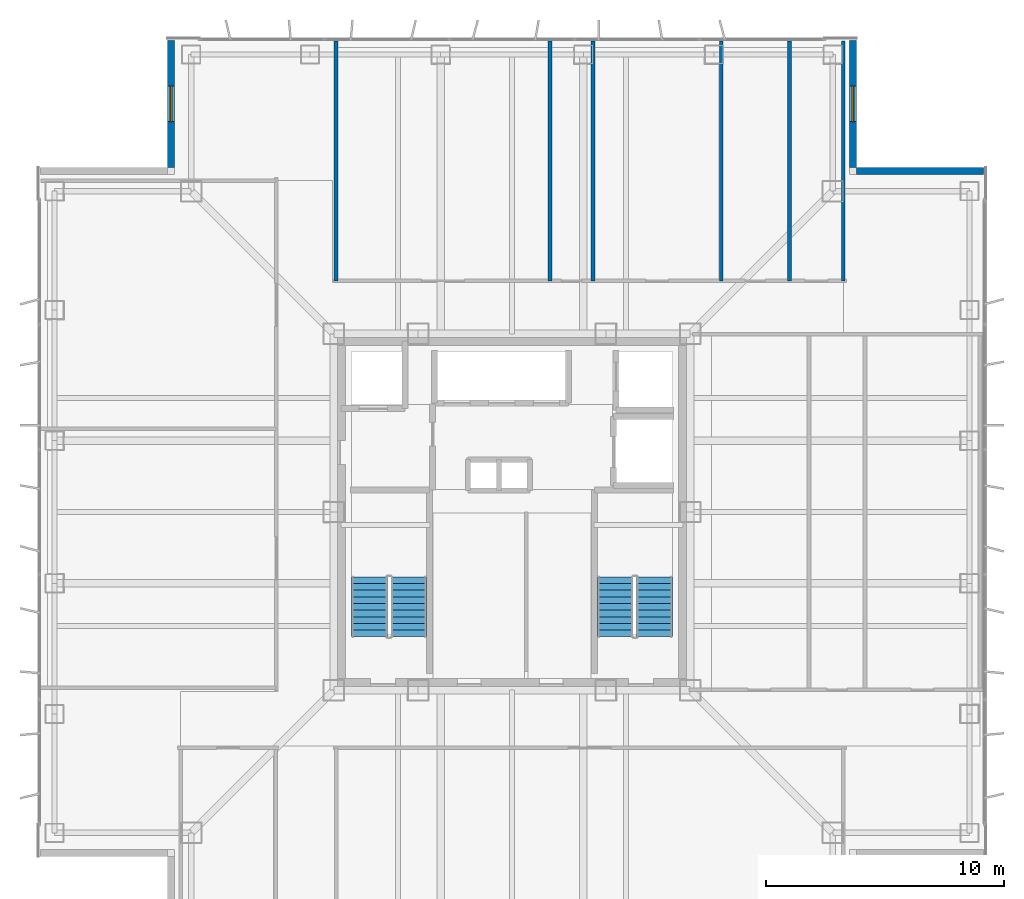
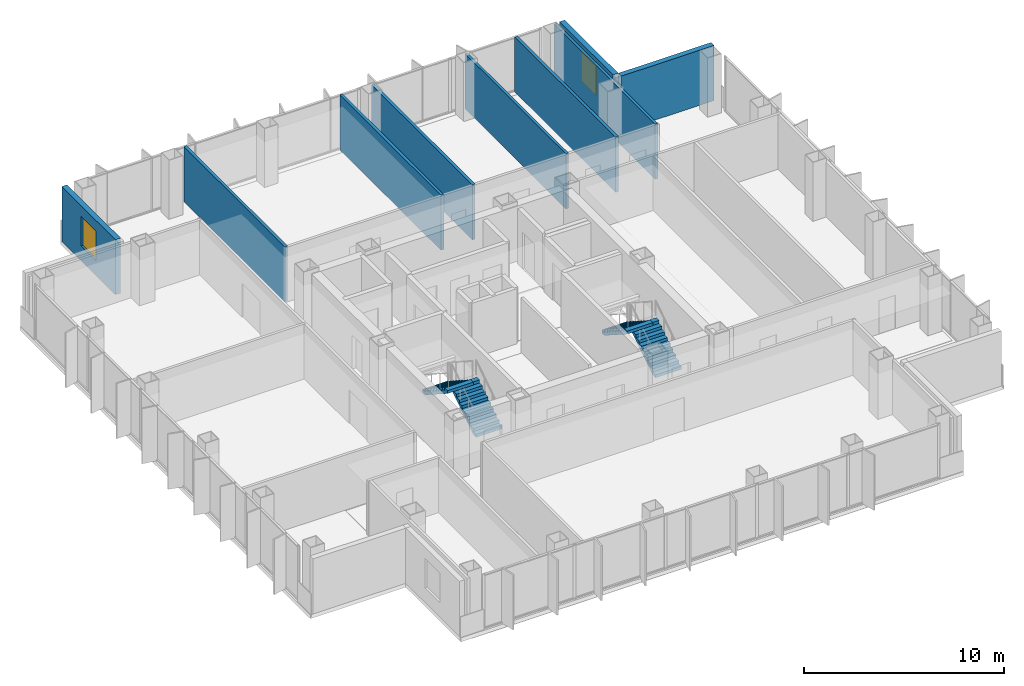
# One storey, part 11 of 17: 9 walls, 4 stair flights, 2 windows, 2 openings, 2 elements without a shape of their own.
"""IFC4 building model written with IfcOpenShell, lengths in metres."""

from ifc_helpers import new_model, si_unit, direction, frame, frame_2d, origin, place, context, subcontext, project, spatial, polyline, rectangle, outline, extrude, material, layer, layer_set, type_object, element, fill, aggregate, save


model = new_model("IFC4")

# Units and contexts
model_context = context("Model", 3, precision=1e-05, world=origin(), true_north=direction((0.0, 1.0)))
body_context = subcontext(model_context, "Body", "Model", "MODEL_VIEW")
ifc_project = project(units=[si_unit("LENGTHUNIT", "METRE"), si_unit("AREAUNIT", "SQUARE_METRE"), si_unit("VOLUMEUNIT", "CUBIC_METRE"), si_unit("PLANEANGLEUNIT", "RADIAN"), si_unit("MASSUNIT", "GRAM", prefix="KILO")], contexts=[model_context])

# Site, building, storey
site_placement = place(None, origin())
site = spatial("IfcSite", under=ifc_project, at=site_placement, CompositionType="ELEMENT")
building_placement = place(site_placement, origin())
building = spatial("IfcBuilding", under=site, at=building_placement, Name="Trevonay Congress Spire", CompositionType="ELEMENT")
storey_placement = place(building_placement, frame((0.0, 0.0, 184.199951171875)))
storey = spatial("IfcBuildingStorey", under=building, at=storey_placement, Name="L47", CompositionType="ELEMENT", Elevation=184.199951171875)

# Wall, opening, window
ifc_material_1 = material(Name="Precast concrete C40/50", Category="concrete")
ifc_layer_1 = layer(ifc_material_1, 0.300048828125, Name="Precast concrete C40/50")
ifc_layer_set_1 = layer_set([ifc_layer_1], Name="Precast concrete C40/50")
wall_type_1 = type_object("IfcWallType", Name="WAL-EXT-PRECAST-300", PredefinedType="SOLIDWALL", material=ifc_layer_set_1)
wall_1_placement = place(storey_placement, frame((14.35009765625, 19.85009765625, 0.0), z_axis=(0.0, 0.0, 1.0), x_axis=(0.0, -1.0, 0.0)))
wall_1 = element("IfcWall", 1, at=wall_1_placement, inside=storey, type_object=wall_type_1, Name="L47 NE re-entrant notch exterior wall 1", PredefinedType="SOLIDWALL", context=body_context, shape_type="SweptSolid", body=[
    extrude(rectangle(XDim=5.35009765625, YDim=0.300048828125, at=frame_2d((2.675048828125, 0.0))), origin(), (0.0, 0.0, 1.0), 3.360107421875),
])
opening_1_placement = place(wall_1_placement, frame((1.925048828125, 0.0, 0.89990234375)))
opening_1 = element("IfcOpeningElement", 2, at=opening_1_placement, cuts=wall_1, Name="Opening WN03", PredefinedType="OPENING", context=body_context, shape_type="SweptSolid", body=[
    extrude(rectangle(XDim=1.5, YDim=1.800048828125, at=frame_2d((0.75, 0.89990234375))), frame((0.0, 0.16015625, 0.0), z_axis=(0.0, -1.0, 0.0), x_axis=(1.0, 0.0, 0.0)), (0.0, 0.0, 1.0), 0.320068359375),
])
ifc_material_2 = material(Name="Insulated Low-E Vision Glass IGU", Category="glass")
window_type = type_object("IfcWindowType", Name="WIN-NOTCH-150X180", PartitioningType="SINGLE_PANEL", PredefinedType="WINDOW", material=ifc_material_2)
window_1_placement = place(opening_1_placement, origin())
window_1 = element("IfcWindow", 3, at=window_1_placement, inside=storey, type_object=window_type, Name="L47 NE corner notch window", OverallHeight=1.800048828125, OverallWidth=1.5, PartitioningType="SINGLE_PANEL", PredefinedType="WINDOW", context=body_context, shape_type="SweptSolid", body=[
    extrude(rectangle(XDim=1.5, YDim=1.800048828125, at=frame_2d((0.75, 0.89990234375))), frame((0.0, 0.030029296875, 0.0), z_axis=(0.0, -1.0, 0.0), x_axis=(1.0, 0.0, 0.0)), (0.0, 0.0, 1.0), 0.06005859375),
])
fill(opening_1, window_1)

# Wall
wall_2_placement = place(storey_placement, frame((19.85009765625, 14.35009765625, 0.0), z_axis=(0.0, 0.0, 1.0), x_axis=(-1.0, 0.0, 0.0)))
element("IfcWall", 4, at=wall_2_placement, inside=storey, type_object=wall_type_1, Name="L47 NE re-entrant notch exterior wall 2", PredefinedType="SOLIDWALL", context=body_context, shape_type="SweptSolid", body=[
    extrude(rectangle(XDim=5.35009765625, YDim=0.300048828125, at=frame_2d((2.675048828125, 0.0))), origin(), (0.0, 0.0, 1.0), 3.360107421875),
])

# Wall, opening, window
wall_3_placement = place(storey_placement, frame((-14.35009765625, 19.85009765625, 0.0), z_axis=(0.0, 0.0, 1.0), x_axis=(0.0, -1.0, 0.0)))
wall_3 = element("IfcWall", 5, at=wall_3_placement, inside=storey, type_object=wall_type_1, Name="L47 NW re-entrant notch exterior wall 1", PredefinedType="SOLIDWALL", context=body_context, shape_type="SweptSolid", body=[
    extrude(rectangle(XDim=5.35009765625, YDim=0.300048828125, at=frame_2d((2.675048828125, 0.0))), origin(), (0.0, 0.0, 1.0), 3.360107421875),
])
opening_2_placement = place(wall_3_placement, frame((1.925048828125, 0.0, 0.89990234375)))
opening_2 = element("IfcOpeningElement", 6, at=opening_2_placement, cuts=wall_3, Name="Opening WN03", PredefinedType="OPENING", context=body_context, shape_type="SweptSolid", body=[
    extrude(rectangle(XDim=1.5, YDim=1.800048828125, at=frame_2d((0.75, 0.89990234375))), frame((0.0, 0.16015625, 0.0), z_axis=(0.0, -1.0, 0.0), x_axis=(1.0, 0.0, 0.0)), (0.0, 0.0, 1.0), 0.320068359375),
])
window_2_placement = place(opening_2_placement, origin())
window_2 = element("IfcWindow", 7, at=window_2_placement, inside=storey, type_object=window_type, Name="L47 NW corner notch window", OverallHeight=1.800048828125, OverallWidth=1.5, PartitioningType="SINGLE_PANEL", PredefinedType="WINDOW", context=body_context, shape_type="SweptSolid", body=[
    extrude(rectangle(XDim=1.5, YDim=1.800048828125, at=frame_2d((0.75, 0.89990234375))), frame((0.0, 0.030029296875, 0.0), z_axis=(0.0, -1.0, 0.0), x_axis=(1.0, 0.0, 0.0)), (0.0, 0.0, 1.0), 0.06005859375),
])
fill(opening_2, window_2)

# Walls
ifc_material_3 = material(Name="Concrete C40/50", Category="concrete")
ifc_layer_2 = layer(ifc_material_3, 0.14990234375, Name="Concrete C40/50")
ifc_layer_set_2 = layer_set([ifc_layer_2], Name="Concrete C40/50")
wall_type_2 = type_object("IfcWallType", Name="WAL-PART-150", PredefinedType="PARTITIONING", material=ifc_layer_set_2)
for number, where, z_axis, x_axis, name in (
    (8, (8.800048828125, 9.72998046875, 0.0), (0.0, 0.0, 1.0), (0.0, 1.0, 0.0), "L47 interior wall WP-L47N-DIV3"),
    (9, (13.949951171875, 9.72998046875, 0.0), (0.0, 0.0, 1.0), (0.0, 1.0, 0.0), "L47 interior wall WP-L47N-DIV4"),
):
    element("IfcWall", number, at=place(storey_placement, frame(where, z_axis=z_axis, x_axis=x_axis)), inside=storey, type_object=wall_type_2, Name=name, PredefinedType="PARTITIONING", context=body_context, shape_type="SweptSolid", body=[
        extrude(rectangle(XDim=10.090087890625, YDim=0.14990234375, at=frame_2d((5.044921875, 0.0))), origin(), (0.0, 0.0, 1.0), 3.360107421875),
    ])
ifc_layer_3 = layer(ifc_material_3, 0.1650390625, Name="Concrete C40/50")
ifc_layer_set_3 = layer_set([ifc_layer_3], Name="Concrete C40/50")
wall_type_3 = type_object("IfcWallType", Name="WAL-WET-165", PredefinedType="PLUMBINGWALL", material=ifc_layer_set_3)
for number, where, z_axis, x_axis, name in (
    (10, (3.409912109375, 9.72998046875, 0.0), (0.0, 0.0, 1.0), (0.0, 1.0, 0.0), "L47 interior wall WP-L47N-WCS2"),
    (11, (11.679931640625, 9.72998046875, 0.0), (0.0, 0.0, 1.0), (0.0, 1.0, 0.0), "L47 interior wall WP-L47N-WCS3"),
    (12, (-7.39990234375, 9.72998046875, 0.0), (0.0, 0.0, 1.0), (0.0, 1.0, 0.0), "L47 interior wall WP-L47N-DIV1"),
    (13, (1.60009765625, 9.72998046875, 0.0), (0.0, 0.0, 1.0), (0.0, 1.0, 0.0), "L47 interior wall WP-L47N-DIV2"),
):
    element("IfcWall", number, at=place(storey_placement, frame(where, z_axis=z_axis, x_axis=x_axis)), inside=storey, type_object=wall_type_3, Name=name, PredefinedType="PLUMBINGWALL", context=body_context, shape_type="SweptSolid", body=[
        extrude(rectangle(XDim=10.090087890625, YDim=0.1650390625, at=frame_2d((5.044921875, 0.0))), origin(), (0.0, 0.0, 1.0), 3.360107421875),
    ])

# Stair, stair flights
stair_type_1 = type_object("IfcStairType", Name="STR-ST-1", PredefinedType="HALF_TURN_STAIR", material=ifc_material_3)
stair_1_placement = place(storey_placement, origin())
stair_1 = element("IfcStair", 14, at=stair_1_placement, inside=storey, type_object=stair_type_1, Name="L47 Protected Exit Stair ST-1", PredefinedType="HALF_TURN_STAIR")
stair_flight_type_1 = type_object("IfcStairFlightType", Name="SFL-ST-1", PredefinedType="STRAIGHT", material=ifc_material_3)
stair_flight_1_placement = place(storey_placement, frame((-4.35009765625, -5.25, 0.0), z_axis=(0.0, 0.0, 1.0), x_axis=(0.0, 1.0, 0.0)))
stair_flight_1 = element("IfcStairFlight", 15, at=stair_flight_1_placement, type_object=stair_flight_type_1, Name="ST-1 flight 1", NumberOfRisers=10, NumberOfTreads=9, PredefinedType="STRAIGHT", RiserHeight=0.18, TreadLength=0.28, context=body_context, shape_type="SweptSolid", body=[
    extrude(outline(polyline([(0.0, 0.0), (0.0, 0.179931640625), (0.280029296875, 0.179931640625), (0.280029296875, 0.360107421875), (0.56005859375, 0.360107421875), (0.56005859375, 0.5400390625), (0.840087890625, 0.5400390625), (0.840087890625, 0.719970703125), (1.1201171875, 0.719970703125), (1.1201171875, 0.89990234375), (1.39990234375, 0.89990234375), (1.39990234375, 1.080078125), (1.679931640625, 1.080078125), (1.679931640625, 1.260009765625), (1.9599609375, 1.260009765625), (1.9599609375, 1.43994140625), (2.239990234375, 1.43994140625), (2.239990234375, 1.6201171875), (2.52001953125, 1.6201171875), (2.52001953125, 1.800048828125), (2.52001953125, 1.44189453125), (0.277099609375, 0.0), (0.0, 0.0)])), frame((0.0, 0.75, 0.0), z_axis=(0.0, -1.0, 0.0), x_axis=(1.0, 0.0, 0.0)), (0.0, 0.0, 1.0), 1.5),
])
stair_flight_2_placement = place(storey_placement, frame((-6.0, -2.72998046875, 1.800048828125), z_axis=(0.0, 0.0, 1.0), x_axis=(0.0, -1.0, 0.0)))
stair_flight_2 = element("IfcStairFlight", 16, at=stair_flight_2_placement, type_object=stair_flight_type_1, Name="ST-1 flight 2", NumberOfRisers=10, NumberOfTreads=9, PredefinedType="STRAIGHT", RiserHeight=0.18, TreadLength=0.28, context=body_context, shape_type="SweptSolid", body=[
    extrude(outline(polyline([(0.0, 0.0), (0.0, 0.179931640625), (0.280029296875, 0.179931640625), (0.280029296875, 0.360107421875), (0.56005859375, 0.360107421875), (0.56005859375, 0.5400390625), (0.840087890625, 0.5400390625), (0.840087890625, 0.719970703125), (1.1201171875, 0.719970703125), (1.1201171875, 0.89990234375), (1.39990234375, 0.89990234375), (1.39990234375, 1.080078125), (1.679931640625, 1.080078125), (1.679931640625, 1.260009765625), (1.9599609375, 1.260009765625), (1.9599609375, 1.43994140625), (2.239990234375, 1.43994140625), (2.239990234375, 1.6201171875), (2.52001953125, 1.6201171875), (2.52001953125, 1.800048828125), (2.52001953125, 1.44189453125), (0.277099609375, 0.0), (0.0, 0.0)])), frame((0.0, 0.75, 0.0), z_axis=(0.0, -1.0, 0.0), x_axis=(1.0, 0.0, 0.0)), (0.0, 0.0, 1.0), 1.5),
])
aggregate(stair_1, [stair_flight_1, stair_flight_2])

stair_type_2 = type_object("IfcStairType", Name="STR-ST-2", PredefinedType="HALF_TURN_STAIR", material=ifc_material_3)
stair_2_placement = place(storey_placement, origin())
stair_2 = element("IfcStair", 17, at=stair_2_placement, inside=storey, type_object=stair_type_2, Name="L47 Protected Exit Stair ST-2", PredefinedType="HALF_TURN_STAIR")
stair_flight_type_2 = type_object("IfcStairFlightType", Name="SFL-ST-2", PredefinedType="STRAIGHT", material=ifc_material_3)
stair_flight_3_placement = place(storey_placement, frame((6.0, -5.25, 0.0), z_axis=(0.0, 0.0, 1.0), x_axis=(0.0, 1.0, 0.0)))
stair_flight_3 = element("IfcStairFlight", 18, at=stair_flight_3_placement, type_object=stair_flight_type_2, Name="ST-2 flight 1", NumberOfRisers=10, NumberOfTreads=9, PredefinedType="STRAIGHT", RiserHeight=0.18, TreadLength=0.28, context=body_context, shape_type="SweptSolid", body=[
    extrude(outline(polyline([(0.0, 0.0), (0.0, 0.179931640625), (0.280029296875, 0.179931640625), (0.280029296875, 0.360107421875), (0.56005859375, 0.360107421875), (0.56005859375, 0.5400390625), (0.840087890625, 0.5400390625), (0.840087890625, 0.719970703125), (1.1201171875, 0.719970703125), (1.1201171875, 0.89990234375), (1.39990234375, 0.89990234375), (1.39990234375, 1.080078125), (1.679931640625, 1.080078125), (1.679931640625, 1.260009765625), (1.9599609375, 1.260009765625), (1.9599609375, 1.43994140625), (2.239990234375, 1.43994140625), (2.239990234375, 1.6201171875), (2.52001953125, 1.6201171875), (2.52001953125, 1.800048828125), (2.52001953125, 1.44189453125), (0.277099609375, 0.0), (0.0, 0.0)])), frame((0.0, 0.75, 0.0), z_axis=(0.0, -1.0, 0.0), x_axis=(1.0, 0.0, 0.0)), (0.0, 0.0, 1.0), 1.5),
])
stair_flight_4_placement = place(storey_placement, frame((4.35009765625, -2.72998046875, 1.800048828125), z_axis=(0.0, 0.0, 1.0), x_axis=(0.0, -1.0, 0.0)))
stair_flight_4 = element("IfcStairFlight", 19, at=stair_flight_4_placement, type_object=stair_flight_type_2, Name="ST-2 flight 2", NumberOfRisers=10, NumberOfTreads=9, PredefinedType="STRAIGHT", RiserHeight=0.18, TreadLength=0.28, context=body_context, shape_type="SweptSolid", body=[
    extrude(outline(polyline([(0.0, 0.0), (0.0, 0.179931640625), (0.280029296875, 0.179931640625), (0.280029296875, 0.360107421875), (0.56005859375, 0.360107421875), (0.56005859375, 0.5400390625), (0.840087890625, 0.5400390625), (0.840087890625, 0.719970703125), (1.1201171875, 0.719970703125), (1.1201171875, 0.89990234375), (1.39990234375, 0.89990234375), (1.39990234375, 1.080078125), (1.679931640625, 1.080078125), (1.679931640625, 1.260009765625), (1.9599609375, 1.260009765625), (1.9599609375, 1.43994140625), (2.239990234375, 1.43994140625), (2.239990234375, 1.6201171875), (2.52001953125, 1.6201171875), (2.52001953125, 1.800048828125), (2.52001953125, 1.44189453125), (0.277099609375, 0.0), (0.0, 0.0)])), frame((0.0, 0.75, 0.0), z_axis=(0.0, -1.0, 0.0), x_axis=(1.0, 0.0, 0.0)), (0.0, 0.0, 1.0), 1.5),
])
aggregate(stair_2, [stair_flight_3, stair_flight_4])

save(model, "model.ifc")
